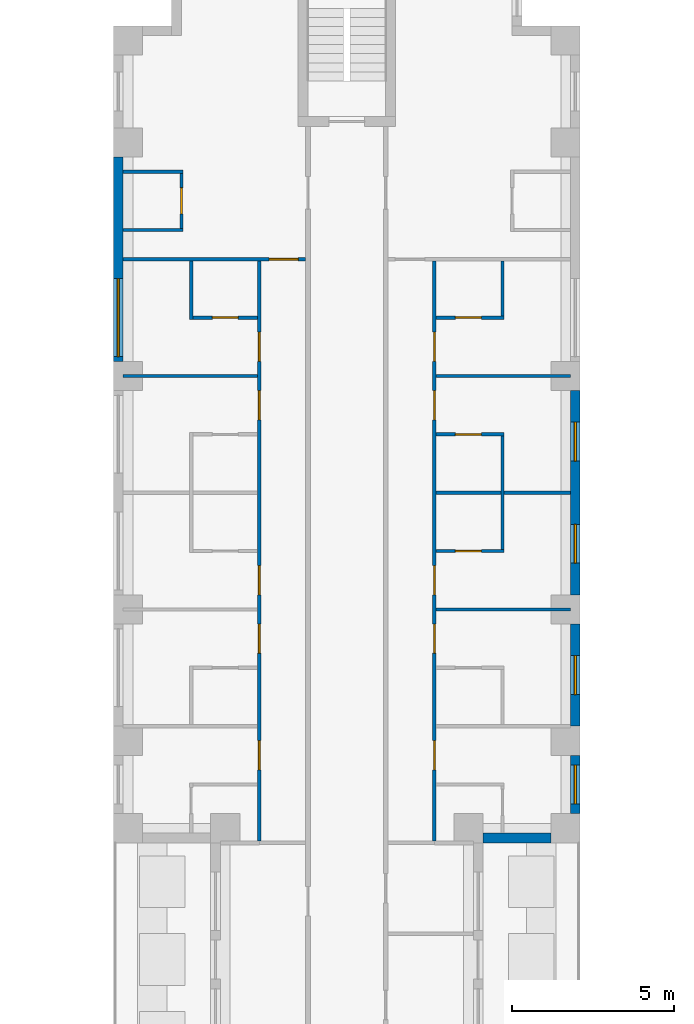
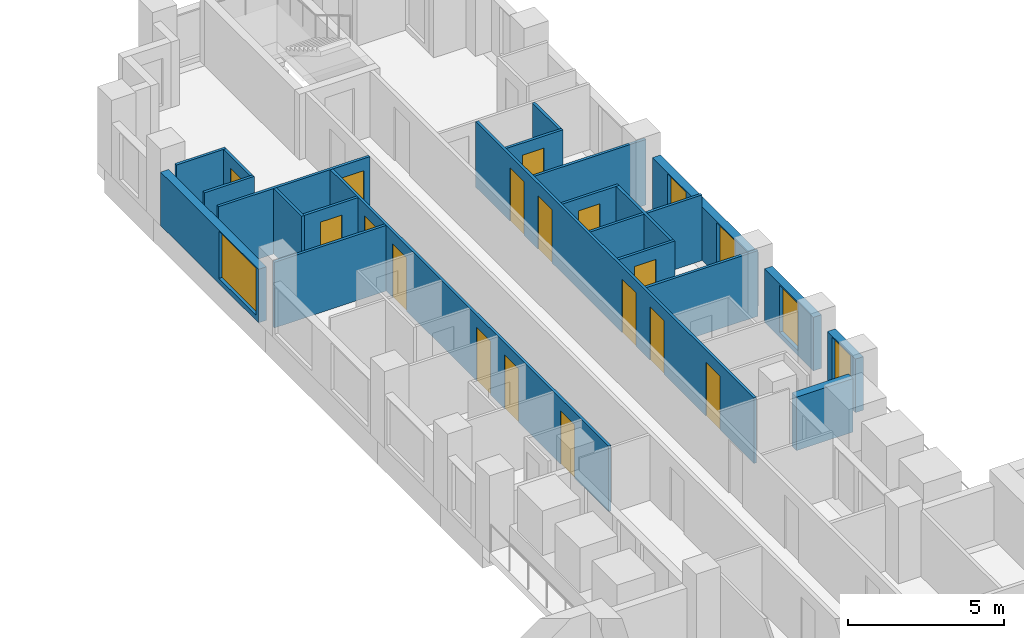
# One storey, part 11 of 15: 22 walls, 16 doors, 5 windows, 21 openings.
"""IFC4 building model written with IfcOpenShell, lengths in metres."""

from ifc_helpers import new_model, si_unit, direction, frame, frame_2d, origin, place, context, subcontext, project, spatial, rectangle, extrude, material, layer, layer_set, type_object, element, fill, save


model = new_model("IFC4")

# Units and contexts
model_context = context("Model", 3, precision=1e-05, world=origin(), true_north=direction((0.0, 1.0)))
body_context = subcontext(model_context, "Body", "Model", "MODEL_VIEW")
ifc_project = project(units=[si_unit("LENGTHUNIT", "METRE"), si_unit("AREAUNIT", "SQUARE_METRE"), si_unit("VOLUMEUNIT", "CUBIC_METRE"), si_unit("PLANEANGLEUNIT", "RADIAN"), si_unit("MASSUNIT", "GRAM", prefix="KILO")], contexts=[model_context])

# Site, building, storey
site_placement = place(None, origin())
site = spatial("IfcSite", under=ifc_project, at=site_placement, CompositionType="ELEMENT")
building_placement = place(site_placement, origin())
building = spatial("IfcBuilding", under=site, at=building_placement, Name="Fustian Cross Tower", CompositionType="ELEMENT")
storey_placement = place(building_placement, frame((0.0, 0.0, 11.699951171875)))
storey = spatial("IfcBuildingStorey", under=building, at=storey_placement, Name="L02", CompositionType="ELEMENT", Elevation=11.699951171875)

# Wall
ifc_material_1 = material(Name="Plasterboard on steel stud", Category="steel")
ifc_layer_1 = layer(ifc_material_1, 0.10009765625)
ifc_layer_set_1 = layer_set([ifc_layer_1], Name="Plasterboard on steel stud")
wall_type_1 = type_object("IfcWallType", Name="PARTITION 100 STUD", PredefinedType="PARTITIONING", material=ifc_layer_set_1)
wall_1_placement = place(storey_placement, frame((-6.89990234375, 28.800048828125, 0.0), z_axis=(0.0, 0.0, 1.0), x_axis=(1.0, 0.0, 0.0)))
element("IfcWall", 1, at=wall_1_placement, inside=storey, type_object=wall_type_1, Name="Partition 20", PredefinedType="PARTITIONING", context=body_context, shape_type="SweptSolid", body=[
    extrude(rectangle(XDim=4.14990234375, YDim=0.10009765625, at=frame_2d((2.074951171875, 0.0))), origin(), (0.0, 0.0, 1.0), 2.574951171875),
])

# Wall, opening, door
wall_2_placement = place(storey_placement, frame((-6.89990234375, 32.39990234375, 0.0), z_axis=(0.0, 0.0, 1.0), x_axis=(1.0, 0.0, 0.0)))
wall_2 = element("IfcWall", 2, at=wall_2_placement, inside=storey, type_object=wall_type_1, Name="Partition 21", PredefinedType="PARTITIONING", context=body_context, shape_type="SweptSolid", body=[
    extrude(rectangle(XDim=5.625, YDim=0.10009765625, at=frame_2d((2.8125, 0.0))), origin(), (0.0, 0.0, 1.0), 2.574951171875),
])
opening_1_placement = place(wall_2_placement, frame((4.5, 0.0, 0.0)))
opening_1 = element("IfcOpeningElement", 3, at=opening_1_placement, cuts=wall_2, Name="Opening D04027", PredefinedType="OPENING", context=body_context, shape_type="SweptSolid", body=[
    extrude(rectangle(XDim=0.89990234375, YDim=2.10009765625, at=frame_2d((0.449951171875, 1.050048828125))), frame((0.0, 0.06005859375, 0.0), z_axis=(0.0, -1.0, 0.0), x_axis=(1.0, 0.0, 0.0)), (0.0, 0.0, 1.0), 0.1201171875),
])
ifc_material_2 = material(Name="Painted timber", Category="wood")
door_type_1 = type_object("IfcDoorType", Name="SWING DOOR 900", OperationType="SINGLE_SWING_LEFT", PredefinedType="DOOR", material=ifc_material_2)
door_1_placement = place(opening_1_placement, frame((0.89990234375, 0.0, 0.0), z_axis=(0.0, 0.0, 1.0), x_axis=(-1.0, 0.0, 0.0)))
door_1 = element("IfcDoor", 4, at=door_1_placement, inside=storey, type_object=door_type_1, Name="Door D04027", OperationType="SINGLE_SWING_RIGHT", OverallHeight=2.10009765625, OverallWidth=0.89990234375, PredefinedType="DOOR", context=body_context, shape_type="SweptSolid", body=[
    extrude(rectangle(XDim=0.89990234375, YDim=2.10009765625, at=frame_2d((0.449951171875, 1.050048828125))), frame((0.0, 0.02490234375, 0.0), z_axis=(0.0, -1.0, 0.0), x_axis=(1.0, 0.0, 0.0)), (0.0, 0.0, 1.0), 0.050048828125),
])
fill(opening_1, door_1)

# Walls
for number, where, z_axis, x_axis, name in (
    (5, (-6.89990234375, 33.300048828125, 0.0), (0.0, 0.0, 1.0), (1.0, 0.0, 0.0), "Partition 22"),
    (6, (-6.89990234375, 35.10009765625, 0.0), (0.0, 0.0, 1.0), (1.0, 0.0, 0.0), "Partition 23"),
):
    element("IfcWall", number, at=place(storey_placement, frame(where, z_axis=z_axis, x_axis=x_axis)), inside=storey, type_object=wall_type_1, Name=name, PredefinedType="PARTITIONING", context=body_context, shape_type="SweptSolid", body=[
        extrude(rectangle(XDim=1.849853515625, YDim=0.10009765625, at=frame_2d((0.9248046875, 0.0))), origin(), (0.0, 0.0, 1.0), 2.574951171875),
    ])

# Wall, opening, door
wall_3_placement = place(storey_placement, frame((-5.10009765625, 33.35009765625, 0.0), z_axis=(0.0, 0.0, 1.0), x_axis=(0.0, 1.0, 0.0)))
wall_3 = element("IfcWall", 7, at=wall_3_placement, inside=storey, type_object=wall_type_1, Name="Partition 25", PredefinedType="PARTITIONING", context=body_context, shape_type="SweptSolid", body=[
    extrude(rectangle(XDim=1.699951171875, YDim=0.10009765625, at=frame_2d((0.85009765625, 0.0))), origin(), (0.0, 0.0, 1.0), 2.574951171875),
])
opening_2_placement = place(wall_3_placement, frame((0.449951171875, 0.0, 0.0)))
opening_2 = element("IfcOpeningElement", 8, at=opening_2_placement, cuts=wall_3, Name="Opening D04020", PredefinedType="OPENING", context=body_context, shape_type="SweptSolid", body=[
    extrude(rectangle(XDim=0.800048828125, YDim=2.10009765625, at=frame_2d((0.39990234375, 1.050048828125))), frame((0.0, 0.06005859375, 0.0), z_axis=(0.0, -1.0, 0.0), x_axis=(1.0, 0.0, 0.0)), (0.0, 0.0, 1.0), 0.1201171875),
])
ifc_material_3 = material(Name="Painted timber", Category="wood")
door_type_2 = type_object("IfcDoorType", Name="SWING DOOR 800", OperationType="SINGLE_SWING_LEFT", PredefinedType="DOOR", material=ifc_material_3)
door_2_placement = place(opening_2_placement, origin())
door_2 = element("IfcDoor", 9, at=door_2_placement, inside=storey, type_object=door_type_2, Name="Door D04020", OperationType="SINGLE_SWING_RIGHT", OverallHeight=2.10009765625, OverallWidth=0.800048828125, PredefinedType="DOOR", context=body_context, shape_type="SweptSolid", body=[
    extrude(rectangle(XDim=0.800048828125, YDim=2.10009765625, at=frame_2d((0.39990234375, 1.050048828125))), frame((0.0, 0.02490234375, 0.0), z_axis=(0.0, -1.0, 0.0), x_axis=(1.0, 0.0, 0.0)), (0.0, 0.0, 1.0), 0.050048828125),
])
fill(opening_2, door_2)

# Wall
wall_4_placement = place(storey_placement, frame((-4.800048828125, 30.550048828125, 0.0), z_axis=(0.0, 0.0, 1.0), x_axis=(0.0, 1.0, 0.0)))
element("IfcWall", 10, at=wall_4_placement, inside=storey, type_object=wall_type_1, Name="Partition 42", PredefinedType="PARTITIONING", context=body_context, shape_type="SweptSolid", body=[
    extrude(rectangle(XDim=1.800048828125, YDim=0.10009765625, at=frame_2d((0.89990234375, 0.0))), origin(), (0.0, 0.0, 1.0), 2.574951171875),
])

# Wall, opening, door
wall_5_placement = place(storey_placement, frame((-4.75, 30.60009765625, 0.0), z_axis=(0.0, 0.0, 1.0), x_axis=(1.0, 0.0, 0.0)))
wall_5 = element("IfcWall", 11, at=wall_5_placement, inside=storey, type_object=wall_type_1, Name="Partition 43", PredefinedType="PARTITIONING", context=body_context, shape_type="SweptSolid", body=[
    extrude(rectangle(XDim=2.0, YDim=0.10009765625, at=frame_2d((1.0, 0.0))), origin(), (0.0, 0.0, 1.0), 2.574951171875),
])
opening_3_placement = place(wall_5_placement, frame((0.60009765625, 0.0, 0.0)))
opening_3 = element("IfcOpeningElement", 12, at=opening_3_placement, cuts=wall_5, Name="Opening D04032", PredefinedType="OPENING", context=body_context, shape_type="SweptSolid", body=[
    extrude(rectangle(XDim=0.800048828125, YDim=2.10009765625, at=frame_2d((0.39990234375, 1.050048828125))), frame((0.0, 0.06005859375, 0.0), z_axis=(0.0, -1.0, 0.0), x_axis=(1.0, 0.0, 0.0)), (0.0, 0.0, 1.0), 0.1201171875),
])
door_3_placement = place(opening_3_placement, origin())
door_3 = element("IfcDoor", 13, at=door_3_placement, inside=storey, type_object=door_type_2, Name="Door D04032", OperationType="SINGLE_SWING_LEFT", OverallHeight=2.10009765625, OverallWidth=0.800048828125, PredefinedType="DOOR", context=body_context, shape_type="SweptSolid", body=[
    extrude(rectangle(XDim=0.800048828125, YDim=2.10009765625, at=frame_2d((0.39990234375, 1.050048828125))), frame((0.0, 0.02490234375, 0.0), z_axis=(0.0, -1.0, 0.0), x_axis=(1.0, 0.0, 0.0)), (0.0, 0.0, 1.0), 0.050048828125),
])
fill(opening_3, door_3)

# Wall, openings, doors
wall_6_placement = place(storey_placement, frame((-2.699951171875, 14.46240234375, 0.0), z_axis=(0.0, 0.0, 1.0), x_axis=(0.0, 1.0, 0.0)))
wall_6 = element("IfcWall", 14, at=wall_6_placement, inside=storey, type_object=wall_type_1, Name="Partition 52", PredefinedType="PARTITIONING", context=body_context, shape_type="SweptSolid", body=[
    extrude(rectangle(XDim=17.8876953125, YDim=0.10009765625, at=frame_2d((8.94384765625, 0.0))), origin(), (0.0, 0.0, 1.0), 2.574951171875),
])
opening_4_placement = place(wall_6_placement, frame((2.1875, 0.0, 0.0)))
opening_4 = element("IfcOpeningElement", 15, at=opening_4_placement, cuts=wall_6, Name="Opening D04022", PredefinedType="OPENING", context=body_context, shape_type="SweptSolid", body=[
    extrude(rectangle(XDim=0.89990234375, YDim=2.10009765625, at=frame_2d((0.449951171875, 1.050048828125))), frame((0.0, 0.06005859375, 0.0), z_axis=(0.0, -1.0, 0.0), x_axis=(1.0, 0.0, 0.0)), (0.0, 0.0, 1.0), 0.1201171875),
])
opening_5_placement = place(wall_6_placement, frame((5.78759765625, 0.0, 0.0)))
opening_5 = element("IfcOpeningElement", 16, at=opening_5_placement, cuts=wall_6, Name="Opening D04023", PredefinedType="OPENING", context=body_context, shape_type="SweptSolid", body=[
    extrude(rectangle(XDim=0.89990234375, YDim=2.10009765625, at=frame_2d((0.449951171875, 1.050048828125))), frame((0.0, 0.06005859375, 0.0), z_axis=(0.0, -1.0, 0.0), x_axis=(1.0, 0.0, 0.0)), (0.0, 0.0, 1.0), 0.1201171875),
])
opening_6_placement = place(wall_6_placement, frame((7.58740234375, 0.0, 0.0)))
opening_6 = element("IfcOpeningElement", 17, at=opening_6_placement, cuts=wall_6, Name="Opening D04024", PredefinedType="OPENING", context=body_context, shape_type="SweptSolid", body=[
    extrude(rectangle(XDim=0.89990234375, YDim=2.10009765625, at=frame_2d((0.449951171875, 1.050048828125))), frame((0.0, 0.06005859375, 0.0), z_axis=(0.0, -1.0, 0.0), x_axis=(1.0, 0.0, 0.0)), (0.0, 0.0, 1.0), 0.1201171875),
])
opening_7_placement = place(wall_6_placement, frame((12.987548828125, 0.0, 0.0)))
opening_7 = element("IfcOpeningElement", 18, at=opening_7_placement, cuts=wall_6, Name="Opening D04025", PredefinedType="OPENING", context=body_context, shape_type="SweptSolid", body=[
    extrude(rectangle(XDim=0.89990234375, YDim=2.10009765625, at=frame_2d((0.449951171875, 1.050048828125))), frame((0.0, 0.06005859375, 0.0), z_axis=(0.0, -1.0, 0.0), x_axis=(1.0, 0.0, 0.0)), (0.0, 0.0, 1.0), 0.1201171875),
])
opening_8_placement = place(wall_6_placement, frame((14.78759765625, 0.0, 0.0)))
opening_8 = element("IfcOpeningElement", 19, at=opening_8_placement, cuts=wall_6, Name="Opening D04026", PredefinedType="OPENING", context=body_context, shape_type="SweptSolid", body=[
    extrude(rectangle(XDim=0.89990234375, YDim=2.10009765625, at=frame_2d((0.449951171875, 1.050048828125))), frame((0.0, 0.06005859375, 0.0), z_axis=(0.0, -1.0, 0.0), x_axis=(1.0, 0.0, 0.0)), (0.0, 0.0, 1.0), 0.1201171875),
])
door_4_placement = place(opening_4_placement, origin())
door_4 = element("IfcDoor", 20, at=door_4_placement, inside=storey, type_object=door_type_1, Name="Door D04022", OperationType="SINGLE_SWING_LEFT", OverallHeight=2.10009765625, OverallWidth=0.89990234375, PredefinedType="DOOR", context=body_context, shape_type="SweptSolid", body=[
    extrude(rectangle(XDim=0.89990234375, YDim=2.10009765625, at=frame_2d((0.449951171875, 1.050048828125))), frame((0.0, 0.02490234375, 0.0), z_axis=(0.0, -1.0, 0.0), x_axis=(1.0, 0.0, 0.0)), (0.0, 0.0, 1.0), 0.050048828125),
])
fill(opening_4, door_4)
door_5_placement = place(opening_5_placement, origin())
door_5 = element("IfcDoor", 21, at=door_5_placement, inside=storey, type_object=door_type_1, Name="Door D04023", OperationType="SINGLE_SWING_LEFT", OverallHeight=2.10009765625, OverallWidth=0.89990234375, PredefinedType="DOOR", context=body_context, shape_type="SweptSolid", body=[
    extrude(rectangle(XDim=0.89990234375, YDim=2.10009765625, at=frame_2d((0.449951171875, 1.050048828125))), frame((0.0, 0.02490234375, 0.0), z_axis=(0.0, -1.0, 0.0), x_axis=(1.0, 0.0, 0.0)), (0.0, 0.0, 1.0), 0.050048828125),
])
fill(opening_5, door_5)
door_6_placement = place(opening_6_placement, origin())
door_6 = element("IfcDoor", 22, at=door_6_placement, inside=storey, type_object=door_type_1, Name="Door D04024", OperationType="SINGLE_SWING_LEFT", OverallHeight=2.10009765625, OverallWidth=0.89990234375, PredefinedType="DOOR", context=body_context, shape_type="SweptSolid", body=[
    extrude(rectangle(XDim=0.89990234375, YDim=2.10009765625, at=frame_2d((0.449951171875, 1.050048828125))), frame((0.0, 0.02490234375, 0.0), z_axis=(0.0, -1.0, 0.0), x_axis=(1.0, 0.0, 0.0)), (0.0, 0.0, 1.0), 0.050048828125),
])
fill(opening_6, door_6)
door_7_placement = place(opening_7_placement, origin())
door_7 = element("IfcDoor", 23, at=door_7_placement, inside=storey, type_object=door_type_1, Name="Door D04025", OperationType="SINGLE_SWING_LEFT", OverallHeight=2.10009765625, OverallWidth=0.89990234375, PredefinedType="DOOR", context=body_context, shape_type="SweptSolid", body=[
    extrude(rectangle(XDim=0.89990234375, YDim=2.10009765625, at=frame_2d((0.449951171875, 1.050048828125))), frame((0.0, 0.02490234375, 0.0), z_axis=(0.0, -1.0, 0.0), x_axis=(1.0, 0.0, 0.0)), (0.0, 0.0, 1.0), 0.050048828125),
])
fill(opening_7, door_7)
door_8_placement = place(opening_8_placement, origin())
door_8 = element("IfcDoor", 24, at=door_8_placement, inside=storey, type_object=door_type_1, Name="Door D04026", OperationType="SINGLE_SWING_LEFT", OverallHeight=2.10009765625, OverallWidth=0.89990234375, PredefinedType="DOOR", context=body_context, shape_type="SweptSolid", body=[
    extrude(rectangle(XDim=0.89990234375, YDim=2.10009765625, at=frame_2d((0.449951171875, 1.050048828125))), frame((0.0, 0.02490234375, 0.0), z_axis=(0.0, -1.0, 0.0), x_axis=(1.0, 0.0, 0.0)), (0.0, 0.0, 1.0), 0.050048828125),
])
fill(opening_8, door_8)

wall_7_placement = place(storey_placement, frame((2.699951171875, 14.46240234375, 0.0), z_axis=(0.0, 0.0, 1.0), x_axis=(0.0, 1.0, 0.0)))
wall_7 = element("IfcWall", 25, at=wall_7_placement, inside=storey, type_object=wall_type_1, Name="Partition 74", PredefinedType="PARTITIONING", context=body_context, shape_type="SweptSolid", body=[
    extrude(rectangle(XDim=17.8876953125, YDim=0.10009765625, at=frame_2d((8.94384765625, 0.0))), origin(), (0.0, 0.0, 1.0), 2.574951171875),
])
opening_9_placement = place(wall_7_placement, frame((2.1875, 0.0, 0.0)))
opening_9 = element("IfcOpeningElement", 26, at=opening_9_placement, cuts=wall_7, Name="Opening D04038", PredefinedType="OPENING", context=body_context, shape_type="SweptSolid", body=[
    extrude(rectangle(XDim=0.89990234375, YDim=2.10009765625, at=frame_2d((0.449951171875, 1.050048828125))), frame((0.0, 0.06005859375, 0.0), z_axis=(0.0, -1.0, 0.0), x_axis=(1.0, 0.0, 0.0)), (0.0, 0.0, 1.0), 0.1201171875),
])
opening_10_placement = place(wall_7_placement, frame((5.78759765625, 0.0, 0.0)))
opening_10 = element("IfcOpeningElement", 27, at=opening_10_placement, cuts=wall_7, Name="Opening D04039", PredefinedType="OPENING", context=body_context, shape_type="SweptSolid", body=[
    extrude(rectangle(XDim=0.89990234375, YDim=2.10009765625, at=frame_2d((0.449951171875, 1.050048828125))), frame((0.0, 0.06005859375, 0.0), z_axis=(0.0, -1.0, 0.0), x_axis=(1.0, 0.0, 0.0)), (0.0, 0.0, 1.0), 0.1201171875),
])
opening_11_placement = place(wall_7_placement, frame((7.58740234375, 0.0, 0.0)))
opening_11 = element("IfcOpeningElement", 28, at=opening_11_placement, cuts=wall_7, Name="Opening D04040", PredefinedType="OPENING", context=body_context, shape_type="SweptSolid", body=[
    extrude(rectangle(XDim=0.89990234375, YDim=2.10009765625, at=frame_2d((0.449951171875, 1.050048828125))), frame((0.0, 0.06005859375, 0.0), z_axis=(0.0, -1.0, 0.0), x_axis=(1.0, 0.0, 0.0)), (0.0, 0.0, 1.0), 0.1201171875),
])
opening_12_placement = place(wall_7_placement, frame((12.987548828125, 0.0, 0.0)))
opening_12 = element("IfcOpeningElement", 29, at=opening_12_placement, cuts=wall_7, Name="Opening D04041", PredefinedType="OPENING", context=body_context, shape_type="SweptSolid", body=[
    extrude(rectangle(XDim=0.89990234375, YDim=2.10009765625, at=frame_2d((0.449951171875, 1.050048828125))), frame((0.0, 0.06005859375, 0.0), z_axis=(0.0, -1.0, 0.0), x_axis=(1.0, 0.0, 0.0)), (0.0, 0.0, 1.0), 0.1201171875),
])
opening_13_placement = place(wall_7_placement, frame((14.78759765625, 0.0, 0.0)))
opening_13 = element("IfcOpeningElement", 30, at=opening_13_placement, cuts=wall_7, Name="Opening D04042", PredefinedType="OPENING", context=body_context, shape_type="SweptSolid", body=[
    extrude(rectangle(XDim=0.89990234375, YDim=2.10009765625, at=frame_2d((0.449951171875, 1.050048828125))), frame((0.0, 0.06005859375, 0.0), z_axis=(0.0, -1.0, 0.0), x_axis=(1.0, 0.0, 0.0)), (0.0, 0.0, 1.0), 0.1201171875),
])
door_9_placement = place(opening_9_placement, frame((0.89990234375, 0.0, 0.0), z_axis=(0.0, 0.0, 1.0), x_axis=(-1.0, 0.0, 0.0)))
door_9 = element("IfcDoor", 31, at=door_9_placement, inside=storey, type_object=door_type_1, Name="Door D04038", OperationType="SINGLE_SWING_RIGHT", OverallHeight=2.10009765625, OverallWidth=0.89990234375, PredefinedType="DOOR", context=body_context, shape_type="SweptSolid", body=[
    extrude(rectangle(XDim=0.89990234375, YDim=2.10009765625, at=frame_2d((0.449951171875, 1.050048828125))), frame((0.0, 0.02490234375, 0.0), z_axis=(0.0, -1.0, 0.0), x_axis=(1.0, 0.0, 0.0)), (0.0, 0.0, 1.0), 0.050048828125),
])
fill(opening_9, door_9)
door_10_placement = place(opening_10_placement, frame((0.89990234375, 0.0, 0.0), z_axis=(0.0, 0.0, 1.0), x_axis=(-1.0, 0.0, 0.0)))
door_10 = element("IfcDoor", 32, at=door_10_placement, inside=storey, type_object=door_type_1, Name="Door D04039", OperationType="SINGLE_SWING_RIGHT", OverallHeight=2.10009765625, OverallWidth=0.89990234375, PredefinedType="DOOR", context=body_context, shape_type="SweptSolid", body=[
    extrude(rectangle(XDim=0.89990234375, YDim=2.10009765625, at=frame_2d((0.449951171875, 1.050048828125))), frame((0.0, 0.02490234375, 0.0), z_axis=(0.0, -1.0, 0.0), x_axis=(1.0, 0.0, 0.0)), (0.0, 0.0, 1.0), 0.050048828125),
])
fill(opening_10, door_10)
door_11_placement = place(opening_11_placement, frame((0.89990234375, 0.0, 0.0), z_axis=(0.0, 0.0, 1.0), x_axis=(-1.0, 0.0, 0.0)))
door_11 = element("IfcDoor", 33, at=door_11_placement, inside=storey, type_object=door_type_1, Name="Door D04040", OperationType="SINGLE_SWING_RIGHT", OverallHeight=2.10009765625, OverallWidth=0.89990234375, PredefinedType="DOOR", context=body_context, shape_type="SweptSolid", body=[
    extrude(rectangle(XDim=0.89990234375, YDim=2.10009765625, at=frame_2d((0.449951171875, 1.050048828125))), frame((0.0, 0.02490234375, 0.0), z_axis=(0.0, -1.0, 0.0), x_axis=(1.0, 0.0, 0.0)), (0.0, 0.0, 1.0), 0.050048828125),
])
fill(opening_11, door_11)
door_12_placement = place(opening_12_placement, frame((0.89990234375, 0.0, 0.0), z_axis=(0.0, 0.0, 1.0), x_axis=(-1.0, 0.0, 0.0)))
door_12 = element("IfcDoor", 34, at=door_12_placement, inside=storey, type_object=door_type_1, Name="Door D04041", OperationType="SINGLE_SWING_RIGHT", OverallHeight=2.10009765625, OverallWidth=0.89990234375, PredefinedType="DOOR", context=body_context, shape_type="SweptSolid", body=[
    extrude(rectangle(XDim=0.89990234375, YDim=2.10009765625, at=frame_2d((0.449951171875, 1.050048828125))), frame((0.0, 0.02490234375, 0.0), z_axis=(0.0, -1.0, 0.0), x_axis=(1.0, 0.0, 0.0)), (0.0, 0.0, 1.0), 0.050048828125),
])
fill(opening_12, door_12)
door_13_placement = place(opening_13_placement, frame((0.89990234375, 0.0, 0.0), z_axis=(0.0, 0.0, 1.0), x_axis=(-1.0, 0.0, 0.0)))
door_13 = element("IfcDoor", 35, at=door_13_placement, inside=storey, type_object=door_type_1, Name="Door D04042", OperationType="SINGLE_SWING_RIGHT", OverallHeight=2.10009765625, OverallWidth=0.89990234375, PredefinedType="DOOR", context=body_context, shape_type="SweptSolid", body=[
    extrude(rectangle(XDim=0.89990234375, YDim=2.10009765625, at=frame_2d((0.449951171875, 1.050048828125))), frame((0.0, 0.02490234375, 0.0), z_axis=(0.0, -1.0, 0.0), x_axis=(1.0, 0.0, 0.0)), (0.0, 0.0, 1.0), 0.050048828125),
])
fill(opening_13, door_13)

# Wall
wall_8_placement = place(storey_placement, frame((2.75, 21.60009765625, 0.0), z_axis=(0.0, 0.0, 1.0), x_axis=(1.0, 0.0, 0.0)))
element("IfcWall", 36, at=wall_8_placement, inside=storey, type_object=wall_type_1, Name="Partition 79", PredefinedType="PARTITIONING", context=body_context, shape_type="SweptSolid", body=[
    extrude(rectangle(XDim=4.14990234375, YDim=0.10009765625, at=frame_2d((2.074951171875, 0.0))), origin(), (0.0, 0.0, 1.0), 2.574951171875),
])

# Wall, opening, door
wall_9_placement = place(storey_placement, frame((2.75, 23.39990234375, 0.0), z_axis=(0.0, 0.0, 1.0), x_axis=(1.0, 0.0, 0.0)))
wall_9 = element("IfcWall", 37, at=wall_9_placement, inside=storey, type_object=wall_type_1, Name="Partition 80", PredefinedType="PARTITIONING", context=body_context, shape_type="SweptSolid", body=[
    extrude(rectangle(XDim=2.10009765625, YDim=0.10009765625, at=frame_2d((1.050048828125, 0.0))), origin(), (0.0, 0.0, 1.0), 2.574951171875),
])
opening_14_placement = place(wall_9_placement, frame((0.60009765625, 0.0, 0.0)))
opening_14 = element("IfcOpeningElement", 38, at=opening_14_placement, cuts=wall_9, Name="Opening D04045", PredefinedType="OPENING", context=body_context, shape_type="SweptSolid", body=[
    extrude(rectangle(XDim=0.800048828125, YDim=2.10009765625, at=frame_2d((0.39990234375, 1.050048828125))), frame((0.0, 0.06005859375, 0.0), z_axis=(0.0, -1.0, 0.0), x_axis=(1.0, 0.0, 0.0)), (0.0, 0.0, 1.0), 0.1201171875),
])
door_14_placement = place(opening_14_placement, origin())
door_14 = element("IfcDoor", 39, at=door_14_placement, inside=storey, type_object=door_type_2, Name="Door D04045", OperationType="SINGLE_SWING_LEFT", OverallHeight=2.10009765625, OverallWidth=0.800048828125, PredefinedType="DOOR", context=body_context, shape_type="SweptSolid", body=[
    extrude(rectangle(XDim=0.800048828125, YDim=2.10009765625, at=frame_2d((0.39990234375, 1.050048828125))), frame((0.0, 0.02490234375, 0.0), z_axis=(0.0, -1.0, 0.0), x_axis=(1.0, 0.0, 0.0)), (0.0, 0.0, 1.0), 0.050048828125),
])
fill(opening_14, door_14)

# Wall
wall_10_placement = place(storey_placement, frame((2.75, 25.199951171875, 0.0), z_axis=(0.0, 0.0, 1.0), x_axis=(1.0, 0.0, 0.0)))
element("IfcWall", 40, at=wall_10_placement, inside=storey, type_object=wall_type_1, Name="Partition 81", PredefinedType="PARTITIONING", context=body_context, shape_type="SweptSolid", body=[
    extrude(rectangle(XDim=4.14990234375, YDim=0.10009765625, at=frame_2d((2.074951171875, 0.0))), origin(), (0.0, 0.0, 1.0), 2.574951171875),
])

# Wall, opening, door
wall_11_placement = place(storey_placement, frame((2.75, 27.0, 0.0), z_axis=(0.0, 0.0, 1.0), x_axis=(1.0, 0.0, 0.0)))
wall_11 = element("IfcWall", 41, at=wall_11_placement, inside=storey, type_object=wall_type_1, Name="Partition 82", PredefinedType="PARTITIONING", context=body_context, shape_type="SweptSolid", body=[
    extrude(rectangle(XDim=2.10009765625, YDim=0.10009765625, at=frame_2d((1.050048828125, 0.0))), origin(), (0.0, 0.0, 1.0), 2.574951171875),
])
opening_15_placement = place(wall_11_placement, frame((0.60009765625, 0.0, 0.0)))
opening_15 = element("IfcOpeningElement", 42, at=opening_15_placement, cuts=wall_11, Name="Opening D04046", PredefinedType="OPENING", context=body_context, shape_type="SweptSolid", body=[
    extrude(rectangle(XDim=0.800048828125, YDim=2.10009765625, at=frame_2d((0.39990234375, 1.050048828125))), frame((0.0, 0.06005859375, 0.0), z_axis=(0.0, -1.0, 0.0), x_axis=(1.0, 0.0, 0.0)), (0.0, 0.0, 1.0), 0.1201171875),
])
door_15_placement = place(opening_15_placement, frame((0.800048828125, 0.0, 0.0), z_axis=(0.0, 0.0, 1.0), x_axis=(-1.0, 0.0, 0.0)))
door_15 = element("IfcDoor", 43, at=door_15_placement, inside=storey, type_object=door_type_2, Name="Door D04046", OperationType="SINGLE_SWING_RIGHT", OverallHeight=2.10009765625, OverallWidth=0.800048828125, PredefinedType="DOOR", context=body_context, shape_type="SweptSolid", body=[
    extrude(rectangle(XDim=0.800048828125, YDim=2.10009765625, at=frame_2d((0.39990234375, 1.050048828125))), frame((0.0, 0.02490234375, 0.0), z_axis=(0.0, -1.0, 0.0), x_axis=(1.0, 0.0, 0.0)), (0.0, 0.0, 1.0), 0.050048828125),
])
fill(opening_15, door_15)

# Wall
wall_12_placement = place(storey_placement, frame((2.75, 28.800048828125, 0.0), z_axis=(0.0, 0.0, 1.0), x_axis=(1.0, 0.0, 0.0)))
element("IfcWall", 44, at=wall_12_placement, inside=storey, type_object=wall_type_1, Name="Partition 83", PredefinedType="PARTITIONING", context=body_context, shape_type="SweptSolid", body=[
    extrude(rectangle(XDim=4.14990234375, YDim=0.10009765625, at=frame_2d((2.074951171875, 0.0))), origin(), (0.0, 0.0, 1.0), 2.574951171875),
])

# Wall, opening, door
wall_13_placement = place(storey_placement, frame((2.75, 30.60009765625, 0.0), z_axis=(0.0, 0.0, 1.0), x_axis=(1.0, 0.0, 0.0)))
wall_13 = element("IfcWall", 45, at=wall_13_placement, inside=storey, type_object=wall_type_1, Name="Partition 84", PredefinedType="PARTITIONING", context=body_context, shape_type="SweptSolid", body=[
    extrude(rectangle(XDim=2.10009765625, YDim=0.10009765625, at=frame_2d((1.050048828125, 0.0))), origin(), (0.0, 0.0, 1.0), 2.574951171875),
])
opening_16_placement = place(wall_13_placement, frame((0.60009765625, 0.0, 0.0)))
opening_16 = element("IfcOpeningElement", 46, at=opening_16_placement, cuts=wall_13, Name="Opening D04047", PredefinedType="OPENING", context=body_context, shape_type="SweptSolid", body=[
    extrude(rectangle(XDim=0.800048828125, YDim=2.10009765625, at=frame_2d((0.39990234375, 1.050048828125))), frame((0.0, 0.06005859375, 0.0), z_axis=(0.0, -1.0, 0.0), x_axis=(1.0, 0.0, 0.0)), (0.0, 0.0, 1.0), 0.1201171875),
])
door_16_placement = place(opening_16_placement, origin())
door_16 = element("IfcDoor", 47, at=door_16_placement, inside=storey, type_object=door_type_2, Name="Door D04047", OperationType="SINGLE_SWING_LEFT", OverallHeight=2.10009765625, OverallWidth=0.800048828125, PredefinedType="DOOR", context=body_context, shape_type="SweptSolid", body=[
    extrude(rectangle(XDim=0.800048828125, YDim=2.10009765625, at=frame_2d((0.39990234375, 1.050048828125))), frame((0.0, 0.02490234375, 0.0), z_axis=(0.0, -1.0, 0.0), x_axis=(1.0, 0.0, 0.0)), (0.0, 0.0, 1.0), 0.050048828125),
])
fill(opening_16, door_16)

# Walls
wall_14_placement = place(storey_placement, frame((4.800048828125, 23.449951171875, 0.0), z_axis=(0.0, 0.0, 1.0), x_axis=(0.0, 1.0, 0.0)))
element("IfcWall", 48, at=wall_14_placement, inside=storey, type_object=wall_type_1, Name="Partition 90", PredefinedType="PARTITIONING", context=body_context, shape_type="SweptSolid", body=[
    extrude(rectangle(XDim=3.5, YDim=0.10009765625, at=frame_2d((1.75, 0.0))), origin(), (0.0, 0.0, 1.0), 2.574951171875),
])
wall_15_placement = place(storey_placement, frame((4.800048828125, 30.64990234375, 0.0), z_axis=(0.0, 0.0, 1.0), x_axis=(0.0, 1.0, 0.0)))
element("IfcWall", 49, at=wall_15_placement, inside=storey, type_object=wall_type_1, Name="Partition 91", PredefinedType="PARTITIONING", context=body_context, shape_type="SweptSolid", body=[
    extrude(rectangle(XDim=1.7001953125, YDim=0.10009765625, at=frame_2d((0.85009765625, 0.0))), origin(), (0.0, 0.0, 1.0), 2.574951171875),
])
ifc_material_4 = material(Name="Dark aluminium cladding on insulated backing wall", Category="aluminium")
ifc_layer_2 = layer(ifc_material_4, 0.300048828125)
ifc_layer_set_2 = layer_set([ifc_layer_2], Name="Dark aluminium cladding on insulated backing wall")
wall_type_2 = type_object("IfcWallType", Name="XW1 EXTERNAL WALL 300", PredefinedType="SOLIDWALL", material=ifc_layer_set_2)
wall_16_placement = place(storey_placement, frame((4.199951171875, 14.550048828125, 0.0), z_axis=(0.0, 0.0, 1.0), x_axis=(1.0, 0.0, 0.0)))
element("IfcWall", 50, at=wall_16_placement, inside=storey, type_object=wall_type_2, Name="External wall", PredefinedType="SOLIDWALL", context=body_context, shape_type="SweptSolid", body=[
    extrude(rectangle(XDim=2.10009765625, YDim=0.300048828125, at=frame_2d((1.050048828125, 0.0))), origin(), (0.0, 0.0, 1.0), 2.10009765625),
])

# Wall, opening, window
wall_17_placement = place(storey_placement, frame((7.050048828125, 15.300048828125, 0.0), z_axis=(0.0, 0.0, 1.0), x_axis=(0.0, 1.0, 0.0)))
wall_17 = element("IfcWall", 51, at=wall_17_placement, inside=storey, type_object=wall_type_2, Name="External wall", PredefinedType="SOLIDWALL", context=body_context, shape_type="SweptSolid", body=[
    extrude(rectangle(XDim=1.800048828125, YDim=0.300048828125, at=frame_2d((0.89990234375, 0.0))), origin(), (0.0, 0.0, 1.0), 2.10009765625),
])
opening_17_placement = place(wall_17_placement, frame((0.300048828125, 0.0, 0.199951171875)))
opening_17 = element("IfcOpeningElement", 52, at=opening_17_placement, cuts=wall_17, Name="Opening WN3", PredefinedType="OPENING", context=body_context, shape_type="SweptSolid", body=[
    extrude(rectangle(XDim=1.199951171875, YDim=1.85009765625, at=frame_2d((0.60009765625, 0.925048828125))), frame((0.0, 0.159912109375, 0.0), z_axis=(0.0, -1.0, 0.0), x_axis=(1.0, 0.0, 0.0)), (0.0, 0.0, 1.0), 0.320068359375),
])
ifc_material_5 = material(Name="Dark anodised aluminium and double glazing", Category="aluminium")
window_type_1 = type_object("IfcWindowType", Name="WN3 WINDOW 1200X1850", PartitioningType="SINGLE_PANEL", PredefinedType="WINDOW", material=ifc_material_5)
window_1_placement = place(opening_17_placement, origin())
window_1 = element("IfcWindow", 53, at=window_1_placement, inside=storey, type_object=window_type_1, Name="Window", OverallHeight=1.85009765625, OverallWidth=1.199951171875, PartitioningType="SINGLE_PANEL", PredefinedType="WINDOW", context=body_context, shape_type="SweptSolid", body=[
    extrude(rectangle(XDim=1.199951171875, YDim=1.85009765625, at=frame_2d((0.60009765625, 0.925048828125))), frame((0.0, 0.030029296875, 0.0), z_axis=(0.0, -1.0, 0.0), x_axis=(1.0, 0.0, 0.0)), (0.0, 0.0, 1.0), 0.06005859375),
])
fill(opening_17, window_1)

wall_18_placement = place(storey_placement, frame((7.050048828125, 18.0, 0.0), z_axis=(0.0, 0.0, 1.0), x_axis=(0.0, 1.0, 0.0)))
wall_18 = element("IfcWall", 54, at=wall_18_placement, inside=storey, type_object=wall_type_2, Name="External wall", PredefinedType="SOLIDWALL", context=body_context, shape_type="SweptSolid", body=[
    extrude(rectangle(XDim=3.14990234375, YDim=0.300048828125, at=frame_2d((1.574951171875, 0.0))), origin(), (0.0, 0.0, 1.0), 2.10009765625),
])
opening_18_placement = place(wall_18_placement, frame((0.97509765625, 0.0, 0.199951171875)))
opening_18 = element("IfcOpeningElement", 55, at=opening_18_placement, cuts=wall_18, Name="Opening WN3", PredefinedType="OPENING", context=body_context, shape_type="SweptSolid", body=[
    extrude(rectangle(XDim=1.199951171875, YDim=1.85009765625, at=frame_2d((0.60009765625, 0.925048828125))), frame((0.0, 0.159912109375, 0.0), z_axis=(0.0, -1.0, 0.0), x_axis=(1.0, 0.0, 0.0)), (0.0, 0.0, 1.0), 0.320068359375),
])
window_2_placement = place(opening_18_placement, origin())
window_2 = element("IfcWindow", 56, at=window_2_placement, inside=storey, type_object=window_type_1, Name="Window", OverallHeight=1.85009765625, OverallWidth=1.199951171875, PartitioningType="SINGLE_PANEL", PredefinedType="WINDOW", context=body_context, shape_type="SweptSolid", body=[
    extrude(rectangle(XDim=1.199951171875, YDim=1.85009765625, at=frame_2d((0.60009765625, 0.925048828125))), frame((0.0, 0.030029296875, 0.0), z_axis=(0.0, -1.0, 0.0), x_axis=(1.0, 0.0, 0.0)), (0.0, 0.0, 1.0), 0.06005859375),
])
fill(opening_18, window_2)

# Wall, openings, windows
wall_19_placement = place(storey_placement, frame((7.050048828125, 22.050048828125, 0.0), z_axis=(0.0, 0.0, 1.0), x_axis=(0.0, 1.0, 0.0)))
wall_19 = element("IfcWall", 57, at=wall_19_placement, inside=storey, type_object=wall_type_2, Name="External wall", PredefinedType="SOLIDWALL", context=body_context, shape_type="SweptSolid", body=[
    extrude(rectangle(XDim=6.300048828125, YDim=0.300048828125, at=frame_2d((3.14990234375, 0.0))), origin(), (0.0, 0.0, 1.0), 2.10009765625),
])
opening_19_placement = place(wall_19_placement, frame((0.97509765625, 0.0, 0.199951171875)))
opening_19 = element("IfcOpeningElement", 58, at=opening_19_placement, cuts=wall_19, Name="Opening WN3", PredefinedType="OPENING", context=body_context, shape_type="SweptSolid", body=[
    extrude(rectangle(XDim=1.199951171875, YDim=1.85009765625, at=frame_2d((0.60009765625, 0.925048828125))), frame((0.0, 0.159912109375, 0.0), z_axis=(0.0, -1.0, 0.0), x_axis=(1.0, 0.0, 0.0)), (0.0, 0.0, 1.0), 0.320068359375),
])
opening_20_placement = place(wall_19_placement, frame((4.125, 0.0, 0.199951171875)))
opening_20 = element("IfcOpeningElement", 59, at=opening_20_placement, cuts=wall_19, Name="Opening WN3", PredefinedType="OPENING", context=body_context, shape_type="SweptSolid", body=[
    extrude(rectangle(XDim=1.199951171875, YDim=1.85009765625, at=frame_2d((0.60009765625, 0.925048828125))), frame((0.0, 0.159912109375, 0.0), z_axis=(0.0, -1.0, 0.0), x_axis=(1.0, 0.0, 0.0)), (0.0, 0.0, 1.0), 0.320068359375),
])
window_3_placement = place(opening_19_placement, origin())
window_3 = element("IfcWindow", 60, at=window_3_placement, inside=storey, type_object=window_type_1, Name="Window", OverallHeight=1.85009765625, OverallWidth=1.199951171875, PartitioningType="SINGLE_PANEL", PredefinedType="WINDOW", context=body_context, shape_type="SweptSolid", body=[
    extrude(rectangle(XDim=1.199951171875, YDim=1.85009765625, at=frame_2d((0.60009765625, 0.925048828125))), frame((0.0, 0.030029296875, 0.0), z_axis=(0.0, -1.0, 0.0), x_axis=(1.0, 0.0, 0.0)), (0.0, 0.0, 1.0), 0.06005859375),
])
fill(opening_19, window_3)
window_4_placement = place(opening_20_placement, origin())
window_4 = element("IfcWindow", 61, at=window_4_placement, inside=storey, type_object=window_type_1, Name="Window", OverallHeight=1.85009765625, OverallWidth=1.199951171875, PartitioningType="SINGLE_PANEL", PredefinedType="WINDOW", context=body_context, shape_type="SweptSolid", body=[
    extrude(rectangle(XDim=1.199951171875, YDim=1.85009765625, at=frame_2d((0.60009765625, 0.925048828125))), frame((0.0, 0.030029296875, 0.0), z_axis=(0.0, -1.0, 0.0), x_axis=(1.0, 0.0, 0.0)), (0.0, 0.0, 1.0), 0.06005859375),
])
fill(opening_20, window_4)

# Wall, opening, window
wall_20_placement = place(storey_placement, frame((-7.050048828125, 35.550048828125, 0.0), z_axis=(0.0, 0.0, 1.0), x_axis=(0.0, -1.0, 0.0)))
wall_20 = element("IfcWall", 62, at=wall_20_placement, inside=storey, type_object=wall_type_2, Name="External wall", PredefinedType="SOLIDWALL", context=body_context, shape_type="SweptSolid", body=[
    extrude(rectangle(XDim=6.300048828125, YDim=0.300048828125, at=frame_2d((3.14990234375, 0.0))), origin(), (0.0, 0.0, 1.0), 2.10009765625),
])
opening_21_placement = place(wall_20_placement, frame((3.75, 0.0, 0.199951171875)))
opening_21 = element("IfcOpeningElement", 63, at=opening_21_placement, cuts=wall_20, Name="Opening WN1", PredefinedType="OPENING", context=body_context, shape_type="SweptSolid", body=[
    extrude(rectangle(XDim=2.39990234375, YDim=1.85009765625, at=frame_2d((1.199951171875, 0.925048828125))), frame((0.0, 0.159912109375, 0.0), z_axis=(0.0, -1.0, 0.0), x_axis=(1.0, 0.0, 0.0)), (0.0, 0.0, 1.0), 0.320068359375),
])
ifc_material_6 = material(Name="Dark anodised aluminium and double glazing", Category="aluminium")
window_type_2 = type_object("IfcWindowType", Name="WN1 WINDOW 2400X1850", PartitioningType="SINGLE_PANEL", PredefinedType="WINDOW", material=ifc_material_6)
window_5_placement = place(opening_21_placement, origin())
window_5 = element("IfcWindow", 64, at=window_5_placement, inside=storey, type_object=window_type_2, Name="Window", OverallHeight=1.85009765625, OverallWidth=2.39990234375, PartitioningType="SINGLE_PANEL", PredefinedType="WINDOW", context=body_context, shape_type="SweptSolid", body=[
    extrude(rectangle(XDim=2.39990234375, YDim=1.85009765625, at=frame_2d((1.199951171875, 0.925048828125))), frame((0.0, 0.030029296875, 0.0), z_axis=(0.0, -1.0, 0.0), x_axis=(1.0, 0.0, 0.0)), (0.0, 0.0, 1.0), 0.06005859375),
])
fill(opening_21, window_5)

save(model, "model.ifc")
